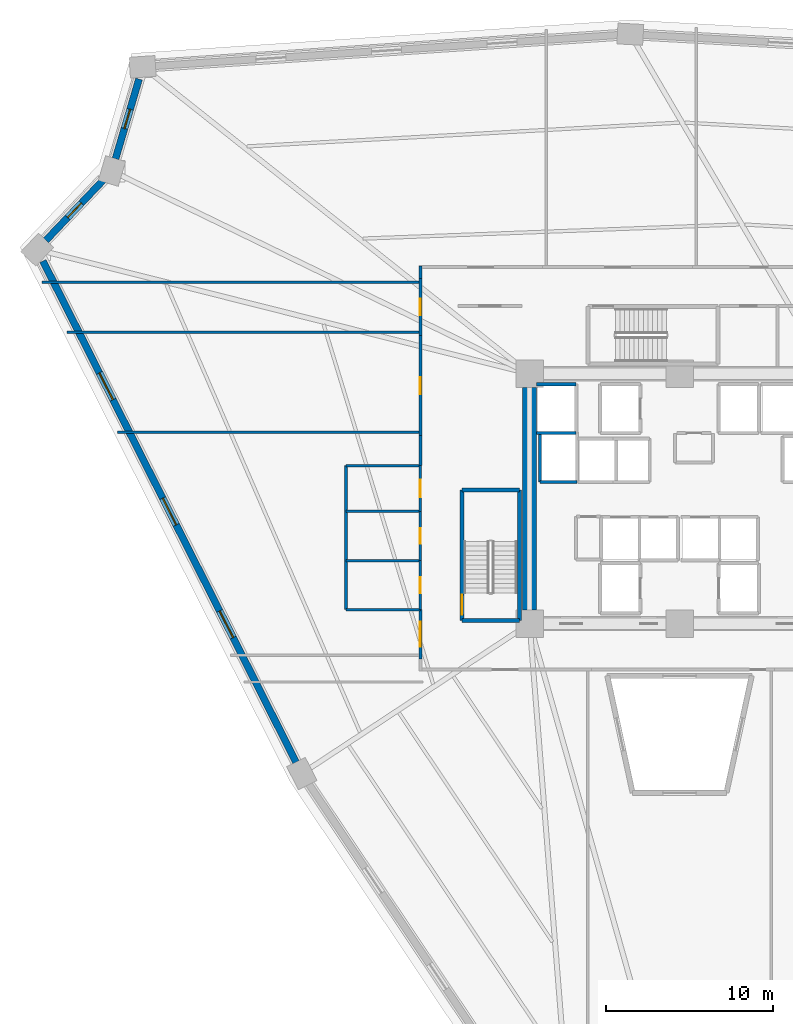
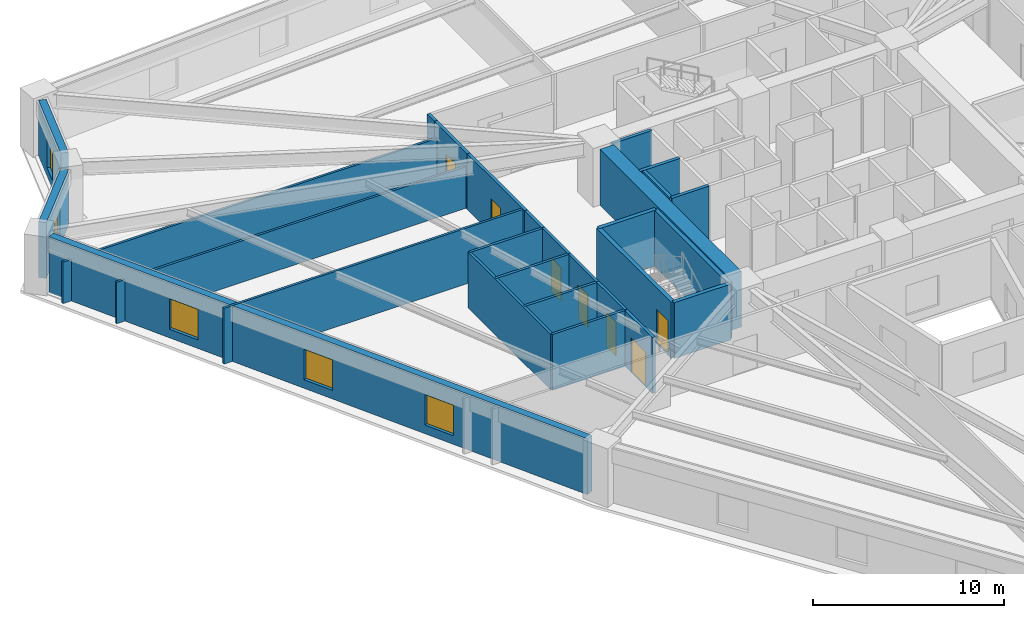
# One storey, part 4 of 11: 28 walls, 7 doors, 5 windows, 12 openings.
"""IFC4 building model written with IfcOpenShell, lengths in metres."""

from ifc_helpers import new_model, si_unit, direction, frame, frame_2d, origin, place, context, subcontext, project, spatial, rectangle, extrude, source, transform, mapped, material, layer, layer_set, type_object, element, fill, save


model = new_model("IFC4")

# Units and contexts
model_context = context("Model", 3, precision=1e-05, world=origin(), true_north=direction((0.0, 1.0)))
body_context = subcontext(model_context, "Body", "Model", "MODEL_VIEW")
ifc_project = project(units=[si_unit("LENGTHUNIT", "METRE"), si_unit("AREAUNIT", "SQUARE_METRE"), si_unit("VOLUMEUNIT", "CUBIC_METRE"), si_unit("PLANEANGLEUNIT", "RADIAN"), si_unit("MASSUNIT", "GRAM", prefix="KILO")], contexts=[model_context])

# Site, building, storey
site_placement = place(None, origin())
site = spatial("IfcSite", under=ifc_project, at=site_placement, CompositionType="ELEMENT")
building_placement = place(site_placement, origin())
building = spatial("IfcBuilding", under=site, at=building_placement, Name="Liaohun Quay Tower", CompositionType="ELEMENT")
storey_placement = place(building_placement, frame((0.0, 0.0, 51.75)))
storey = spatial("IfcBuildingStorey", under=building, at=storey_placement, Name="L13", CompositionType="ELEMENT", Elevation=51.75)

# Wall
ifc_material_1 = material(Name="Concrete C60", Category="concrete")
ifc_layer_1 = layer(ifc_material_1, 0.85009765625, Name="Concrete C60", Category="concrete")
ifc_layer_set_1 = layer_set([ifc_layer_1], Name="Concrete C60")
wall_type_1 = type_object("IfcWallType", Name="WAL-COR-Z1", PredefinedType="SHEAR", material=ifc_layer_set_1)
wall_1_placement = place(storey_placement, frame((51.0, 47.324951171875, 0.0), z_axis=(0.0, 0.0, 1.0), x_axis=(0.0, 1.0, 0.0)))
element("IfcWall", 1, at=wall_1_placement, inside=storey, type_object=wall_type_1, Name="L13 Central Core Shear Wall W", PredefinedType="SHEAR", context=body_context, shape_type="SweptSolid", body=[
    extrude(rectangle(XDim=13.35009765625, YDim=0.85009765625, at=frame_2d((6.675048828125, 0.0))), origin(), (0.0, 0.0, 1.0), 3.570068359375),
])

# Wall, opening, window
ifc_material_2 = material(Name="Precast concrete C50 insulated sandwich", Category="concrete")
ifc_layer_2 = layer(ifc_material_2, 0.419921875, Name="Precast concrete C50 insulated sandwich", Category="concrete")
ifc_layer_set_2 = layer_set([ifc_layer_2], Name="Precast concrete C50 insulated sandwich")
wall_type_2 = type_object("IfcWallType", Name="WAL-EXT-Z12", PredefinedType="SOLIDWALL", material=ifc_layer_set_2)
wall_2_placement = place(storey_placement, frame((27.551025390625, 79.195068359375, 0.0), z_axis=(0.0, 0.0, 1.0), x_axis=(-0.282928947313, -0.959140871182, 0.0)))
wall_2 = element("IfcWall", 2, at=wall_2_placement, inside=storey, type_object=wall_type_2, Name="L13 Brutalist Precast Pier Wall 08", PredefinedType="SOLIDWALL", context=body_context, shape_type="SweptSolid", body=[
    extrude(rectangle(XDim=4.990966796875, YDim=0.419921875, at=frame_2d((2.49560546875, 0.0))), origin(), (0.0, 0.0, 1.0), 3.570068359375),
])
shared_shape_1 = source(origin(), body_context, "Body", "SweptSolid", [
    extrude(rectangle(XDim=1.199951171875, YDim=1.89990234375, at=frame_2d((0.60009765625, 0.949951171875))), frame((0.0, 0.219970703125, 0.0), z_axis=(0.0, -1.0, 0.0), x_axis=(1.0, 0.0, 0.0)), (0.0, 0.0, 1.0), 0.43994140625),
])
opening_1_placement = place(wall_2_placement, frame((1.89501953125, 0.0, 0.550048828125)))
opening_1 = element("IfcOpeningElement", 3, at=opening_1_placement, cuts=wall_2, Name="Opening W05", PredefinedType="OPENING", context=body_context, shape_type="MappedRepresentation", body=[
    mapped(shared_shape_1, transform((0.0, 0.0, 0.0), x_axis=(1.0, 0.0, 0.0), y_axis=(0.0, 1.0, 0.0), z_axis=(0.0, 0.0, 1.0), scale=1.0)),
])
ifc_material_3 = material(Name="Triple Low-E corner notch glazing", Category="glass")
window_type_1 = type_object("IfcWindowType", Name="WIN-NOTCH", PartitioningType="SINGLE_PANEL", PredefinedType="WINDOW", material=ifc_material_3)
shared_shape_2 = source(origin(), body_context, "Body", "SweptSolid", [
    extrude(rectangle(XDim=1.199951171875, YDim=1.89990234375, at=frame_2d((0.60009765625, 0.949951171875))), frame((0.0, 0.030029296875, 0.0), z_axis=(0.0, -1.0, 0.0), x_axis=(1.0, 0.0, 0.0)), (0.0, 0.0, 1.0), 0.06005859375),
])
window_1_placement = place(opening_1_placement, origin())
window_1 = element("IfcWindow", 4, at=window_1_placement, inside=storey, type_object=window_type_1, Name="L13 Corner Notch Window W05-08", OverallHeight=1.89990234375, OverallWidth=1.199951171875, PartitioningType="SINGLE_PANEL", PredefinedType="WINDOW", context=body_context, shape_type="MappedRepresentation", body=[
    mapped(shared_shape_2, transform((0.0, 0.0, 0.0), x_axis=(1.0, 0.0, 0.0), y_axis=(0.0, 1.0, 0.0), z_axis=(0.0, 0.0, 1.0), scale=1.0)),
])
fill(opening_1, window_1)

wall_3_placement = place(storey_placement, frame((25.39599609375, 73.1201171875, 0.0), z_axis=(0.0, 0.0, 1.0), x_axis=(-0.689329780071, -0.724447689145, 0.0)))
wall_3 = element("IfcWall", 5, at=wall_3_placement, inside=storey, type_object=wall_type_2, Name="L13 Brutalist Precast Pier Wall 09", PredefinedType="SOLIDWALL", context=body_context, shape_type="SweptSolid", body=[
    extrude(rectangle(XDim=4.984619140625, YDim=0.419921875, at=frame_2d((2.4921875, 0.0))), origin(), (0.0, 0.0, 1.0), 3.570068359375),
])
opening_2_placement = place(wall_3_placement, frame((1.89208984375, 0.0, 0.550048828125)))
opening_2 = element("IfcOpeningElement", 6, at=opening_2_placement, cuts=wall_3, Name="Opening W05", PredefinedType="OPENING", context=body_context, shape_type="MappedRepresentation", body=[
    mapped(shared_shape_1, transform((0.0, 0.0, 0.0), x_axis=(1.0, 0.0, 0.0), y_axis=(0.0, 1.0, 0.0), z_axis=(0.0, 0.0, 1.0), scale=1.0)),
])
window_2_placement = place(opening_2_placement, origin())
window_2 = element("IfcWindow", 7, at=window_2_placement, inside=storey, type_object=window_type_1, Name="L13 Corner Notch Window W05-09", OverallHeight=1.89990234375, OverallWidth=1.199951171875, PartitioningType="SINGLE_PANEL", PredefinedType="WINDOW", context=body_context, shape_type="MappedRepresentation", body=[
    mapped(shared_shape_2, transform((0.0, 0.0, 0.0), x_axis=(1.0, 0.0, 0.0), y_axis=(0.0, 1.0, 0.0), z_axis=(0.0, 0.0, 1.0), scale=1.0)),
])
fill(opening_2, window_2)

# Wall, openings, windows
wall_4_placement = place(storey_placement, frame((21.778076171875, 68.27197265625, 0.0), z_axis=(0.0, 0.0, 1.0), x_axis=(0.45088567069, -0.892581711647, 0.0)))
wall_4 = element("IfcWall", 8, at=wall_4_placement, inside=storey, type_object=wall_type_2, Name="L13 Brutalist Precast Pier Wall 10", PredefinedType="SOLIDWALL", context=body_context, shape_type="SweptSolid", body=[
    extrude(rectangle(XDim=33.71337890625, YDim=0.419921875, at=frame_2d((16.856689453125, 0.0))), origin(), (0.0, 0.0, 1.0), 3.570068359375),
])
shared_shape_3 = source(origin(), body_context, "Body", "SweptSolid", [
    extrude(rectangle(XDim=1.800048828125, YDim=1.949951171875, at=frame_2d((0.89990234375, 0.97509765625))), frame((0.0, 0.219970703125, 0.0), z_axis=(0.0, -1.0, 0.0), x_axis=(1.0, 0.0, 0.0)), (0.0, 0.0, 1.0), 0.43994140625),
])
opening_3_placement = place(wall_4_placement, frame((7.528076171875, 0.0, 0.550048828125)))
opening_3 = element("IfcOpeningElement", 9, at=opening_3_placement, cuts=wall_4, Name="Opening W01", PredefinedType="OPENING", context=body_context, shape_type="MappedRepresentation", body=[
    mapped(shared_shape_3, transform((0.0, 0.0, 0.0), x_axis=(1.0, 0.0, 0.0), y_axis=(0.0, 1.0, 0.0), z_axis=(0.0, 0.0, 1.0), scale=1.0)),
])
opening_4_placement = place(wall_4_placement, frame((15.95703125, 0.0, 0.550048828125)))
opening_4 = element("IfcOpeningElement", 10, at=opening_4_placement, cuts=wall_4, Name="Opening W01", PredefinedType="OPENING", context=body_context, shape_type="MappedRepresentation", body=[
    mapped(shared_shape_3, transform((0.0, 0.0, 0.0), x_axis=(1.0, 0.0, 0.0), y_axis=(0.0, 1.0, 0.0), z_axis=(0.0, 0.0, 1.0), scale=1.0)),
])
opening_5_placement = place(wall_4_placement, frame((23.534912109375, 0.0, 0.550048828125)))
opening_5 = element("IfcOpeningElement", 11, at=opening_5_placement, cuts=wall_4, Name="Opening W01", PredefinedType="OPENING", context=body_context, shape_type="MappedRepresentation", body=[
    mapped(shared_shape_3, transform((0.0, 0.0, 0.0), x_axis=(1.0, 0.0, 0.0), y_axis=(0.0, 1.0, 0.0), z_axis=(0.0, 0.0, 1.0), scale=1.0)),
])
ifc_material_4 = material(Name="Triple Low-E argon glazing in thermally broken aluminium", Category="aluminium")
window_type_2 = type_object("IfcWindowType", Name="WIN-PUN-Z1", PartitioningType="DOUBLE_PANEL_VERTICAL", PredefinedType="WINDOW", material=ifc_material_4)
shared_shape_4 = source(origin(), body_context, "Body", "SweptSolid", [
    extrude(rectangle(XDim=1.800048828125, YDim=1.949951171875, at=frame_2d((0.89990234375, 0.97509765625))), frame((0.0, 0.030029296875, 0.0), z_axis=(0.0, -1.0, 0.0), x_axis=(1.0, 0.0, 0.0)), (0.0, 0.0, 1.0), 0.06005859375),
])
window_3_placement = place(opening_3_placement, origin())
window_3 = element("IfcWindow", 12, at=window_3_placement, inside=storey, type_object=window_type_2, Name="L13 Recessed Cold-Climate Punched Window 10-1", OverallHeight=1.949951171875, OverallWidth=1.800048828125, PartitioningType="DOUBLE_PANEL_VERTICAL", PredefinedType="WINDOW", context=body_context, shape_type="MappedRepresentation", body=[
    mapped(shared_shape_4, transform((0.0, 0.0, 0.0), x_axis=(1.0, 0.0, 0.0), y_axis=(0.0, 1.0, 0.0), z_axis=(0.0, 0.0, 1.0), scale=1.0)),
])
fill(opening_3, window_3)
window_4_placement = place(opening_4_placement, origin())
window_4 = element("IfcWindow", 13, at=window_4_placement, inside=storey, type_object=window_type_2, Name="L13 Recessed Cold-Climate Punched Window 10-2", OverallHeight=1.949951171875, OverallWidth=1.800048828125, PartitioningType="DOUBLE_PANEL_VERTICAL", PredefinedType="WINDOW", context=body_context, shape_type="MappedRepresentation", body=[
    mapped(shared_shape_4, transform((0.0, 0.0, 0.0), x_axis=(1.0, 0.0, 0.0), y_axis=(0.0, 1.0, 0.0), z_axis=(0.0, 0.0, 1.0), scale=1.0)),
])
fill(opening_4, window_4)
window_5_placement = place(opening_5_placement, origin())
window_5 = element("IfcWindow", 14, at=window_5_placement, inside=storey, type_object=window_type_2, Name="L13 Recessed Cold-Climate Punched Window 10-3", OverallHeight=1.949951171875, OverallWidth=1.800048828125, PartitioningType="DOUBLE_PANEL_VERTICAL", PredefinedType="WINDOW", context=body_context, shape_type="MappedRepresentation", body=[
    mapped(shared_shape_4, transform((0.0, 0.0, 0.0), x_axis=(1.0, 0.0, 0.0), y_axis=(0.0, 1.0, 0.0), z_axis=(0.0, 0.0, 1.0), scale=1.0)),
])
fill(opening_5, window_5)

# Wall, opening, door
ifc_material_5 = material(Name="Autoclaved aerated concrete blockwork", Category="masonry")
ifc_layer_3 = layer(ifc_material_5, 0.179931640625, Name="Autoclaved aerated concrete blockwork", Category="masonry")
ifc_layer_set_3 = layer_set([ifc_layer_3], Name="Autoclaved aerated concrete blockwork")
wall_type_3 = type_object("IfcWallType", Name="WAL-PRT-COR", PredefinedType="PARTITIONING", material=ifc_layer_set_3)
wall_5_placement = place(storey_placement, frame((44.43994140625, 63.784912109375, 0.0), z_axis=(0.0, 0.0, 1.0), x_axis=(0.0, 1.0, 0.0)))
wall_5 = element("IfcWall", 15, at=wall_5_placement, inside=storey, type_object=wall_type_3, Name="L13 Interior Partition Wall 016", PredefinedType="PARTITIONING", context=body_context, shape_type="SweptSolid", body=[
    extrude(rectangle(XDim=3.43017578125, YDim=0.179931640625, at=frame_2d((1.715087890625, 0.0))), origin(), (0.0, 0.0, 1.0), 3.570068359375),
])
shared_shape_5 = source(origin(), body_context, "Body", "SweptSolid", [
    extrude(rectangle(XDim=1.0, YDim=2.199951171875, at=frame_2d((0.5, 1.10009765625))), frame((0.0, 0.099853515625, 0.0), z_axis=(0.0, -1.0, 0.0), x_axis=(1.0, 0.0, 0.0)), (0.0, 0.0, 1.0), 0.199951171875),
])
opening_6_placement = place(wall_5_placement, frame((1.215087890625, 0.0, 0.0)))
opening_6 = element("IfcOpeningElement", 16, at=opening_6_placement, cuts=wall_5, Name="Opening OD1", PredefinedType="OPENING", context=body_context, shape_type="MappedRepresentation", body=[
    mapped(shared_shape_5, transform((0.0, 0.0, 0.0), x_axis=(1.0, 0.0, 0.0), y_axis=(0.0, 1.0, 0.0), z_axis=(0.0, 0.0, 1.0), scale=1.0)),
])
ifc_material_6 = material(Name="Solid-core oak veneer timber leaf in steel frame", Category="steel")
door_type_1 = type_object("IfcDoorType", Name="DOR-OFF-1000", OperationType="NOTDEFINED", PredefinedType="DOOR", material=ifc_material_6)
shared_shape_6 = source(origin(), body_context, "Body", "SweptSolid", [
    extrude(rectangle(XDim=1.0, YDim=2.199951171875, at=frame_2d((0.5, 1.10009765625))), frame((0.0, 0.02490234375, 0.0), z_axis=(0.0, -1.0, 0.0), x_axis=(1.0, 0.0, 0.0)), (0.0, 0.0, 1.0), 0.050048828125),
])
door_1_placement = place(opening_6_placement, origin())
door_1 = element("IfcDoor", 17, at=door_1_placement, inside=storey, type_object=door_type_1, Name="L13 Architectural Design Studio 07 Door", OperationType="SINGLE_SWING_LEFT", OverallHeight=2.199951171875, OverallWidth=1.0, PredefinedType="DOOR", context=body_context, shape_type="MappedRepresentation", body=[
    mapped(shared_shape_6, transform((0.0, 0.0, 0.0), x_axis=(1.0, 0.0, 0.0), y_axis=(0.0, 1.0, 0.0), z_axis=(0.0, 0.0, 1.0), scale=1.0)),
])
fill(opening_6, door_1)

wall_6_placement = place(storey_placement, frame((44.43994140625, 57.784912109375, 0.0), z_axis=(0.0, 0.0, 1.0), x_axis=(0.0, 1.0, 0.0)))
wall_6 = element("IfcWall", 18, at=wall_6_placement, inside=storey, type_object=wall_type_3, Name="L13 Interior Partition Wall 017", PredefinedType="PARTITIONING", context=body_context, shape_type="SweptSolid", body=[
    extrude(rectangle(XDim=6.0, YDim=0.179931640625, at=frame_2d((3.0, 0.0))), origin(), (0.0, 0.0, 1.0), 3.570068359375),
])
opening_7_placement = place(wall_6_placement, frame((2.5, 0.0, 0.0)))
opening_7 = element("IfcOpeningElement", 19, at=opening_7_placement, cuts=wall_6, Name="Opening OD1", PredefinedType="OPENING", context=body_context, shape_type="MappedRepresentation", body=[
    mapped(shared_shape_5, transform((0.0, 0.0, 0.0), x_axis=(1.0, 0.0, 0.0), y_axis=(0.0, 1.0, 0.0), z_axis=(0.0, 0.0, 1.0), scale=1.0)),
])
door_2_placement = place(opening_7_placement, origin())
door_2 = element("IfcDoor", 20, at=door_2_placement, inside=storey, type_object=door_type_1, Name="L13 Digital Prototyping Laboratory 08 Door", OperationType="SINGLE_SWING_RIGHT", OverallHeight=2.199951171875, OverallWidth=1.0, PredefinedType="DOOR", context=body_context, shape_type="MappedRepresentation", body=[
    mapped(shared_shape_6, transform((0.0, 0.0, 0.0), x_axis=(1.0, 0.0, 0.0), y_axis=(0.0, 1.0, 0.0), z_axis=(0.0, 0.0, 1.0), scale=1.0)),
])
fill(opening_7, door_2)

wall_7_placement = place(storey_placement, frame((44.43994140625, 44.385009765625, 0.0), z_axis=(0.0, 0.0, 1.0), x_axis=(0.0, 1.0, 0.0)))
wall_7 = element("IfcWall", 21, at=wall_7_placement, inside=storey, type_object=wall_type_3, Name="L13 Interior Partition Wall 018", PredefinedType="PARTITIONING", context=body_context, shape_type="SweptSolid", body=[
    extrude(rectangle(XDim=2.955078125, YDim=0.179931640625, at=frame_2d((1.4775390625, 0.0))), origin(), (0.0, 0.0, 1.0), 3.570068359375),
])
shared_shape_7 = source(origin(), body_context, "Body", "SweptSolid", [
    extrude(rectangle(XDim=1.5, YDim=2.199951171875, at=frame_2d((0.75, 1.10009765625))), frame((0.0, 0.099853515625, 0.0), z_axis=(0.0, -1.0, 0.0), x_axis=(1.0, 0.0, 0.0)), (0.0, 0.0, 1.0), 0.199951171875),
])
opening_8_placement = place(wall_7_placement, frame((0.72802734375, 0.0, 0.0)))
opening_8 = element("IfcOpeningElement", 22, at=opening_8_placement, cuts=wall_7, Name="Opening OD2", PredefinedType="OPENING", context=body_context, shape_type="MappedRepresentation", body=[
    mapped(shared_shape_7, transform((0.0, 0.0, 0.0), x_axis=(1.0, 0.0, 0.0), y_axis=(0.0, 1.0, 0.0), z_axis=(0.0, 0.0, 1.0), scale=1.0)),
])
ifc_material_7 = material(Name="Acoustic oak veneer double door")
door_type_2 = type_object("IfcDoorType", Name="DOR-OFF-1500", OperationType="DOUBLE_DOOR_SINGLE_SWING", PredefinedType="DOOR", material=ifc_material_7)
shared_shape_8 = source(origin(), body_context, "Body", "SweptSolid", [
    extrude(rectangle(XDim=1.5, YDim=2.199951171875, at=frame_2d((0.75, 1.10009765625))), frame((0.0, 0.02490234375, 0.0), z_axis=(0.0, -1.0, 0.0), x_axis=(1.0, 0.0, 0.0)), (0.0, 0.0, 1.0), 0.050048828125),
])
door_3_placement = place(opening_8_placement, origin())
door_3 = element("IfcDoor", 23, at=door_3_placement, inside=storey, type_object=door_type_2, Name="L13 Records Archive Store 09 Door", OperationType="DOUBLE_DOOR_SINGLE_SWING", OverallHeight=2.199951171875, OverallWidth=1.5, PredefinedType="DOOR", context=body_context, shape_type="MappedRepresentation", body=[
    mapped(shared_shape_8, transform((0.0, 0.0, 0.0), x_axis=(1.0, 0.0, 0.0), y_axis=(0.0, 1.0, 0.0), z_axis=(0.0, 0.0, 1.0), scale=1.0)),
])
fill(opening_8, door_3)

# Walls
wall_8_placement = place(storey_placement, frame((44.43994140625, 67.215087890625, 0.0), z_axis=(0.0, 0.0, 1.0), x_axis=(0.0, 1.0, 0.0)))
element("IfcWall", 24, at=wall_8_placement, inside=storey, type_object=wall_type_3, Name="L13 Interior Partition Wall 037", PredefinedType="PARTITIONING", context=body_context, shape_type="SweptSolid", body=[
    extrude(rectangle(XDim=0.764892578125, YDim=0.179931640625, at=frame_2d((0.38232421875, 0.0))), origin(), (0.0, 0.0, 1.0), 3.570068359375),
])
wall_9_placement = place(storey_placement, frame((44.43994140625, 55.97998046875, 0.0), z_axis=(0.0, 0.0, 1.0), x_axis=(0.0, 1.0, 0.0)))
element("IfcWall", 25, at=wall_9_placement, inside=storey, type_object=wall_type_3, Name="L13 Interior Partition Wall 038", PredefinedType="PARTITIONING", context=body_context, shape_type="SweptSolid", body=[
    extrude(rectangle(XDim=1.804931640625, YDim=0.179931640625, at=frame_2d((0.90234375, 0.0))), origin(), (0.0, 0.0, 1.0), 3.570068359375),
])
ifc_material_8 = material(Name="Gypsum board on twin steel studs", Category="steel")
ifc_layer_4 = layer(ifc_material_8, 0.139892578125, Name="Gypsum board on twin steel studs", Category="steel")
ifc_layer_set_4 = layer_set([ifc_layer_4], Name="Gypsum board on twin steel studs")
wall_type_4 = type_object("IfcWallType", Name="WAL-PRT-OFF", PredefinedType="PARTITIONING", material=ifc_layer_set_4)
wall_10_placement = place(storey_placement, frame((44.5400390625, 58.0, 0.0), z_axis=(0.0, 0.0, 1.0), x_axis=(-1.0, 0.0, 0.0)))
element("IfcWall", 26, at=wall_10_placement, inside=storey, type_object=wall_type_4, Name="L13 Interior Partition Wall 043", PredefinedType="PARTITIONING", context=body_context, shape_type="SweptSolid", body=[
    extrude(rectangle(XDim=18.279052734375, YDim=0.139892578125, at=frame_2d((9.1396484375, 0.0))), origin(), (0.0, 0.0, 1.0), 3.570068359375),
])
wall_11_placement = place(storey_placement, frame((44.5400390625, 64.0, 0.0), z_axis=(0.0, 0.0, 1.0), x_axis=(-1.0, 0.0, 0.0)))
element("IfcWall", 27, at=wall_11_placement, inside=storey, type_object=wall_type_4, Name="L13 Interior Partition Wall 044", PredefinedType="PARTITIONING", context=body_context, shape_type="SweptSolid", body=[
    extrude(rectangle(XDim=21.31005859375, YDim=0.139892578125, at=frame_2d((10.655029296875, 0.0))), origin(), (0.0, 0.0, 1.0), 2.655029296875),
])
wall_12_placement = place(storey_placement, frame((44.5400390625, 67.0, 0.0), z_axis=(0.0, 0.0, 1.0), x_axis=(-1.0, 0.0, 0.0)))
element("IfcWall", 28, at=wall_12_placement, inside=storey, type_object=wall_type_4, Name="L13 Interior Partition Wall 045", PredefinedType="PARTITIONING", context=body_context, shape_type="SweptSolid", body=[
    extrude(rectangle(XDim=22.824951171875, YDim=0.139892578125, at=frame_2d((11.41259765625, 0.0))), origin(), (0.0, 0.0, 1.0), 2.655029296875),
])

# Wall, opening, door
ifc_material_9 = material(Name="Moisture-resistant masonry blockwork", Category="masonry")
ifc_layer_5 = layer(ifc_material_9, 0.159912109375, Name="Moisture-resistant masonry blockwork", Category="masonry")
ifc_layer_set_5 = layer_set([ifc_layer_5], Name="Moisture-resistant masonry blockwork")
wall_type_5 = type_object("IfcWallType", Name="WAL-PRT-WET", PredefinedType="PARTITIONING", material=ifc_layer_set_5)
wall_13_placement = place(storey_placement, frame((44.43994140625, 47.340087890625, 0.0), z_axis=(0.0, 0.0, 1.0), x_axis=(0.0, 1.0, 0.0)))
wall_13 = element("IfcWall", 29, at=wall_13_placement, inside=storey, type_object=wall_type_5, Name="L13 Interior Partition Wall 003", PredefinedType="PARTITIONING", context=body_context, shape_type="SweptSolid", body=[
    extrude(rectangle(XDim=2.93994140625, YDim=0.159912109375, at=frame_2d((1.469970703125, 0.0))), origin(), (0.0, 0.0, 1.0), 3.570068359375),
])
shared_shape_9 = source(origin(), body_context, "Body", "SweptSolid", [
    extrude(rectangle(XDim=0.949951171875, YDim=2.14990234375, at=frame_2d((0.47509765625, 1.074951171875))), frame((0.0, 0.08984375, 0.0), z_axis=(0.0, -1.0, 0.0), x_axis=(1.0, 0.0, 0.0)), (0.0, 0.0, 1.0), 0.179931640625),
])
opening_9_placement = place(wall_13_placement, frame((0.9951171875, 0.0, 0.0)))
opening_9 = element("IfcOpeningElement", 30, at=opening_9_placement, cuts=wall_13, Name="Opening WD1", PredefinedType="OPENING", context=body_context, shape_type="MappedRepresentation", body=[
    mapped(shared_shape_9, transform((0.0, 0.0, 0.0), x_axis=(1.0, 0.0, 0.0), y_axis=(0.0, 1.0, 0.0), z_axis=(0.0, 0.0, 1.0), scale=1.0)),
])
ifc_material_10 = material(Name="Moisture-resistant laminate timber leaf", Category="wood")
door_type_3 = type_object("IfcDoorType", Name="DOR-WC-950", OperationType="NOTDEFINED", PredefinedType="DOOR", material=ifc_material_10)
shared_shape_10 = source(origin(), body_context, "Body", "SweptSolid", [
    extrude(rectangle(XDim=0.949951171875, YDim=2.14990234375, at=frame_2d((0.47509765625, 1.074951171875))), frame((0.0, 0.02490234375, 0.0), z_axis=(0.0, -1.0, 0.0), x_axis=(1.0, 0.0, 0.0)), (0.0, 0.0, 1.0), 0.050048828125),
])
door_4_placement = place(opening_9_placement, origin())
door_4 = element("IfcDoor", 31, at=door_4_placement, inside=storey, type_object=door_type_3, Name="L13 Male Restroom WC Door", OperationType="SINGLE_SWING_RIGHT", OverallHeight=2.14990234375, OverallWidth=0.949951171875, PredefinedType="DOOR", context=body_context, shape_type="MappedRepresentation", body=[
    mapped(shared_shape_10, transform((0.0, 0.0, 0.0), x_axis=(1.0, 0.0, 0.0), y_axis=(0.0, 1.0, 0.0), z_axis=(0.0, 0.0, 1.0), scale=1.0)),
])
fill(opening_9, door_4)

wall_14_placement = place(storey_placement, frame((44.43994140625, 50.280029296875, 0.0), z_axis=(0.0, 0.0, 1.0), x_axis=(0.0, 1.0, 0.0)))
wall_14 = element("IfcWall", 32, at=wall_14_placement, inside=storey, type_object=wall_type_5, Name="L13 Interior Partition Wall 004", PredefinedType="PARTITIONING", context=body_context, shape_type="SweptSolid", body=[
    extrude(rectangle(XDim=2.9599609375, YDim=0.159912109375, at=frame_2d((1.47998046875, 0.0))), origin(), (0.0, 0.0, 1.0), 3.570068359375),
])
opening_10_placement = place(wall_14_placement, frame((1.0048828125, 0.0, 0.0)))
opening_10 = element("IfcOpeningElement", 33, at=opening_10_placement, cuts=wall_14, Name="Opening WD1", PredefinedType="OPENING", context=body_context, shape_type="MappedRepresentation", body=[
    mapped(shared_shape_9, transform((0.0, 0.0, 0.0), x_axis=(1.0, 0.0, 0.0), y_axis=(0.0, 1.0, 0.0), z_axis=(0.0, 0.0, 1.0), scale=1.0)),
])
door_5_placement = place(opening_10_placement, origin())
door_5 = element("IfcDoor", 34, at=door_5_placement, inside=storey, type_object=door_type_3, Name="L13 Female Restroom WC Door", OperationType="SINGLE_SWING_LEFT", OverallHeight=2.14990234375, OverallWidth=0.949951171875, PredefinedType="DOOR", context=body_context, shape_type="MappedRepresentation", body=[
    mapped(shared_shape_10, transform((0.0, 0.0, 0.0), x_axis=(1.0, 0.0, 0.0), y_axis=(0.0, 1.0, 0.0), z_axis=(0.0, 0.0, 1.0), scale=1.0)),
])
fill(opening_10, door_5)

wall_15_placement = place(storey_placement, frame((44.43994140625, 53.239990234375, 0.0), z_axis=(0.0, 0.0, 1.0), x_axis=(0.0, 1.0, 0.0)))
wall_15 = element("IfcWall", 35, at=wall_15_placement, inside=storey, type_object=wall_type_5, Name="L13 Interior Partition Wall 005", PredefinedType="PARTITIONING", context=body_context, shape_type="SweptSolid", body=[
    extrude(rectangle(XDim=2.739990234375, YDim=0.159912109375, at=frame_2d((1.3701171875, 0.0))), origin(), (0.0, 0.0, 1.0), 3.570068359375),
])
shared_shape_11 = source(origin(), body_context, "Body", "SweptSolid", [
    extrude(rectangle(XDim=1.050048828125, YDim=2.14990234375, at=frame_2d((0.52490234375, 1.074951171875))), frame((0.0, 0.08984375, 0.0), z_axis=(0.0, -1.0, 0.0), x_axis=(1.0, 0.0, 0.0)), (0.0, 0.0, 1.0), 0.179931640625),
])
opening_11_placement = place(wall_15_placement, frame((0.844970703125, 0.0, 0.0)))
opening_11 = element("IfcOpeningElement", 36, at=opening_11_placement, cuts=wall_15, Name="Opening WD2", PredefinedType="OPENING", context=body_context, shape_type="MappedRepresentation", body=[
    mapped(shared_shape_11, transform((0.0, 0.0, 0.0), x_axis=(1.0, 0.0, 0.0), y_axis=(0.0, 1.0, 0.0), z_axis=(0.0, 0.0, 1.0), scale=1.0)),
])
ifc_material_11 = material(Name="Accessible outward-swinging laminate door")
door_type_4 = type_object("IfcDoorType", Name="DOR-AWC-1050", OperationType="NOTDEFINED", PredefinedType="DOOR", material=ifc_material_11)
shared_shape_12 = source(origin(), body_context, "Body", "SweptSolid", [
    extrude(rectangle(XDim=1.050048828125, YDim=2.14990234375, at=frame_2d((0.52490234375, 1.074951171875))), frame((0.0, 0.02490234375, 0.0), z_axis=(0.0, -1.0, 0.0), x_axis=(1.0, 0.0, 0.0)), (0.0, 0.0, 1.0), 0.050048828125),
])
door_6_placement = place(opening_11_placement, origin())
door_6 = element("IfcDoor", 37, at=door_6_placement, inside=storey, type_object=door_type_4, Name="L13 Accessible WC Door", OperationType="SINGLE_SWING_RIGHT", OverallHeight=2.14990234375, OverallWidth=1.050048828125, PredefinedType="DOOR", context=body_context, shape_type="MappedRepresentation", body=[
    mapped(shared_shape_12, transform((0.0, 0.0, 0.0), x_axis=(1.0, 0.0, 0.0), y_axis=(0.0, 1.0, 0.0), z_axis=(0.0, 0.0, 1.0), scale=1.0)),
])
fill(opening_11, door_6)

# Walls
wall_16_placement = place(storey_placement, frame((39.97998046875, 47.340087890625, 0.0), z_axis=(0.0, 0.0, 1.0), x_axis=(0.0, 1.0, 0.0)))
element("IfcWall", 38, at=wall_16_placement, inside=storey, type_object=wall_type_5, Name="L13 Interior Partition Wall 029", PredefinedType="PARTITIONING", context=body_context, shape_type="SweptSolid", body=[
    extrude(rectangle(XDim=8.639892578125, YDim=0.159912109375, at=frame_2d((4.31982421875, 0.0))), origin(), (0.0, 0.0, 1.0), 3.570068359375),
])
for number, where, z_axis, x_axis, name in (
    (39, (39.97998046875, 47.340087890625, 0.0), (0.0, 0.0, 1.0), (1.0, 0.0, 0.0), "L13 Interior Partition Wall 030"),
    (40, (39.97998046875, 50.280029296875, 0.0), (0.0, 0.0, 1.0), (1.0, 0.0, 0.0), "L13 Interior Partition Wall 031"),
    (41, (39.97998046875, 53.239990234375, 0.0), (0.0, 0.0, 1.0), (1.0, 0.0, 0.0), "L13 Interior Partition Wall 032"),
    (42, (39.97998046875, 55.97998046875, 0.0), (0.0, 0.0, 1.0), (1.0, 0.0, 0.0), "L13 Interior Partition Wall 033"),
):
    element("IfcWall", number, at=place(storey_placement, frame(where, z_axis=z_axis, x_axis=x_axis)), inside=storey, type_object=wall_type_5, Name=name, PredefinedType="PARTITIONING", context=body_context, shape_type="SweptSolid", body=[
        extrude(rectangle(XDim=4.4599609375, YDim=0.159912109375, at=frame_2d((2.22998046875, 0.0))), origin(), (0.0, 0.0, 1.0), 3.570068359375),
    ])
ifc_material_12 = material(Name="Concrete C50", Category="concrete")
ifc_layer_6 = layer(ifc_material_12, 0.239990234375, Name="Concrete C50", Category="concrete")
ifc_layer_set_6 = layer_set([ifc_layer_6], Name="Concrete C50")
wall_type_6 = type_object("IfcWallType", Name="WAL-SHF-200", PredefinedType="SOLIDWALL", material=ifc_layer_set_6)
wall_17_placement = place(storey_placement, frame((46.93994140625, 46.699951171875, 0.0), z_axis=(0.0, 0.0, 1.0), x_axis=(1.0, 0.0, 0.0)))
element("IfcWall", 43, at=wall_17_placement, inside=storey, type_object=wall_type_6, Name="L13 Stairwell ST-1 Structural Core Wall S", PredefinedType="SOLIDWALL", context=body_context, shape_type="SweptSolid", body=[
    extrude(rectangle(XDim=3.43994140625, YDim=0.239990234375, at=frame_2d((1.719970703125, 0.0))), origin(), (0.0, 0.0, 1.0), 3.570068359375),
])
wall_18_placement = place(storey_placement, frame((50.3798828125, 46.699951171875, 0.0), z_axis=(0.0, 0.0, 1.0), x_axis=(0.0, 1.0, 0.0)))
element("IfcWall", 44, at=wall_18_placement, inside=storey, type_object=wall_type_6, Name="L13 Stairwell ST-1 Structural Core Wall E", PredefinedType="SOLIDWALL", context=body_context, shape_type="SweptSolid", body=[
    extrude(rectangle(XDim=7.820068359375, YDim=0.239990234375, at=frame_2d((3.91015625, 0.0))), origin(), (0.0, 0.0, 1.0), 3.570068359375),
])
wall_19_placement = place(storey_placement, frame((50.3798828125, 54.52001953125, 0.0), z_axis=(0.0, 0.0, 1.0), x_axis=(-1.0, 0.0, 0.0)))
element("IfcWall", 45, at=wall_19_placement, inside=storey, type_object=wall_type_6, Name="L13 Stairwell ST-1 Structural Core Wall N", PredefinedType="SOLIDWALL", context=body_context, shape_type="SweptSolid", body=[
    extrude(rectangle(XDim=3.43994140625, YDim=0.239990234375, at=frame_2d((1.719970703125, 0.0))), origin(), (0.0, 0.0, 1.0), 3.570068359375),
])

# Wall, opening, door
wall_20_placement = place(storey_placement, frame((46.93994140625, 54.52001953125, 0.0), z_axis=(0.0, 0.0, 1.0), x_axis=(0.0, -1.0, 0.0)))
wall_20 = element("IfcWall", 46, at=wall_20_placement, inside=storey, type_object=wall_type_6, Name="L13 Stairwell ST-1 Structural Core Wall W", PredefinedType="SOLIDWALL", context=body_context, shape_type="SweptSolid", body=[
    extrude(rectangle(XDim=7.820068359375, YDim=0.239990234375, at=frame_2d((3.91015625, 0.0))), origin(), (0.0, 0.0, 1.0), 3.570068359375),
])
shared_shape_13 = source(origin(), body_context, "Body", "SweptSolid", [
    extrude(rectangle(XDim=1.199951171875, YDim=2.199951171875, at=frame_2d((0.60009765625, 1.10009765625))), frame((0.0, 0.1298828125, 0.0), z_axis=(0.0, -1.0, 0.0), x_axis=(1.0, 0.0, 0.0)), (0.0, 0.0, 1.0), 0.260009765625),
])
opening_12_placement = place(wall_20_placement, frame((6.300048828125, 0.0, 0.0)))
opening_12 = element("IfcOpeningElement", 47, at=opening_12_placement, cuts=wall_20, Name="Opening SD1", PredefinedType="OPENING", context=body_context, shape_type="MappedRepresentation", body=[
    mapped(shared_shape_13, transform((0.0, 0.0, 0.0), x_axis=(1.0, 0.0, 0.0), y_axis=(0.0, 1.0, 0.0), z_axis=(0.0, 0.0, 1.0), scale=1.0)),
])
ifc_material_13 = material(Name="Galvanised steel fire door", Category="steel")
door_type_5 = type_object("IfcDoorType", Name="DOR-STR-1200", OperationType="NOTDEFINED", PredefinedType="DOOR", material=ifc_material_13)
shared_shape_14 = source(origin(), body_context, "Body", "SweptSolid", [
    extrude(rectangle(XDim=1.199951171875, YDim=2.199951171875, at=frame_2d((0.60009765625, 1.10009765625))), frame((0.0, 0.02490234375, 0.0), z_axis=(0.0, -1.0, 0.0), x_axis=(1.0, 0.0, 0.0)), (0.0, 0.0, 1.0), 0.050048828125),
])
door_7_placement = place(opening_12_placement, origin())
door_7 = element("IfcDoor", 48, at=door_7_placement, inside=storey, type_object=door_type_5, Name="L13 Protected Stair ST-1 Fire Door", OperationType="SINGLE_SWING_LEFT", OverallHeight=2.199951171875, OverallWidth=1.199951171875, PredefinedType="DOOR", context=body_context, shape_type="MappedRepresentation", body=[
    mapped(shared_shape_14, transform((0.0, 0.0, 0.0), x_axis=(1.0, 0.0, 0.0), y_axis=(0.0, 1.0, 0.0), z_axis=(0.0, 0.0, 1.0), scale=1.0)),
])
fill(opening_12, door_7)

# Walls
for number, where, z_axis, x_axis, name in (
    (49, (51.39990234375, 57.949951171875, 0.0), (0.0, 0.0, 1.0), (1.0, 0.0, 0.0), "L13 Lift SH-01 Hoistway Wall S"),
    (50, (53.800048828125, 60.8798828125, 0.0), (0.0, 0.0, 1.0), (-1.0, 0.0, 0.0), "L13 Lift SH-01 Hoistway Wall N"),
):
    element("IfcWall", number, at=place(storey_placement, frame(where, z_axis=z_axis, x_axis=x_axis)), inside=storey, type_object=wall_type_6, Name=name, PredefinedType="SOLIDWALL", context=body_context, shape_type="SweptSolid", body=[
        extrude(rectangle(XDim=2.400146484375, YDim=0.199951171875, at=frame_2d((1.2001953125, 0.0))), origin(), (0.0, 0.0, 1.0), 3.570068359375),
    ])
wall_21_placement = place(storey_placement, frame((51.6201171875, 55.0, 0.0), z_axis=(0.0, 0.0, 1.0), x_axis=(1.0, 0.0, 0.0)))
element("IfcWall", 51, at=wall_21_placement, inside=storey, type_object=wall_type_6, Name="L13 Lift SH-02 Hoistway Wall S", PredefinedType="SOLIDWALL", context=body_context, shape_type="SweptSolid", body=[
    extrude(rectangle(XDim=2.22998046875, YDim=0.199951171875, at=frame_2d((1.114990234375, 0.0))), origin(), (0.0, 0.0, 1.0), 3.570068359375),
])
wall_22_placement = place(storey_placement, frame((51.6201171875, 58.0, 0.0), z_axis=(0.0, 0.0, 1.0), x_axis=(0.0, -1.0, 0.0)))
element("IfcWall", 52, at=wall_22_placement, inside=storey, type_object=wall_type_6, Name="L13 Lift SH-02 Hoistway Wall W", PredefinedType="SOLIDWALL", context=body_context, shape_type="SweptSolid", body=[
    extrude(rectangle(XDim=3.0, YDim=0.199951171875, at=frame_2d((1.5, 0.0))), origin(), (0.0, 0.0, 1.0), 3.570068359375),
])

save(model, "model.ifc")
